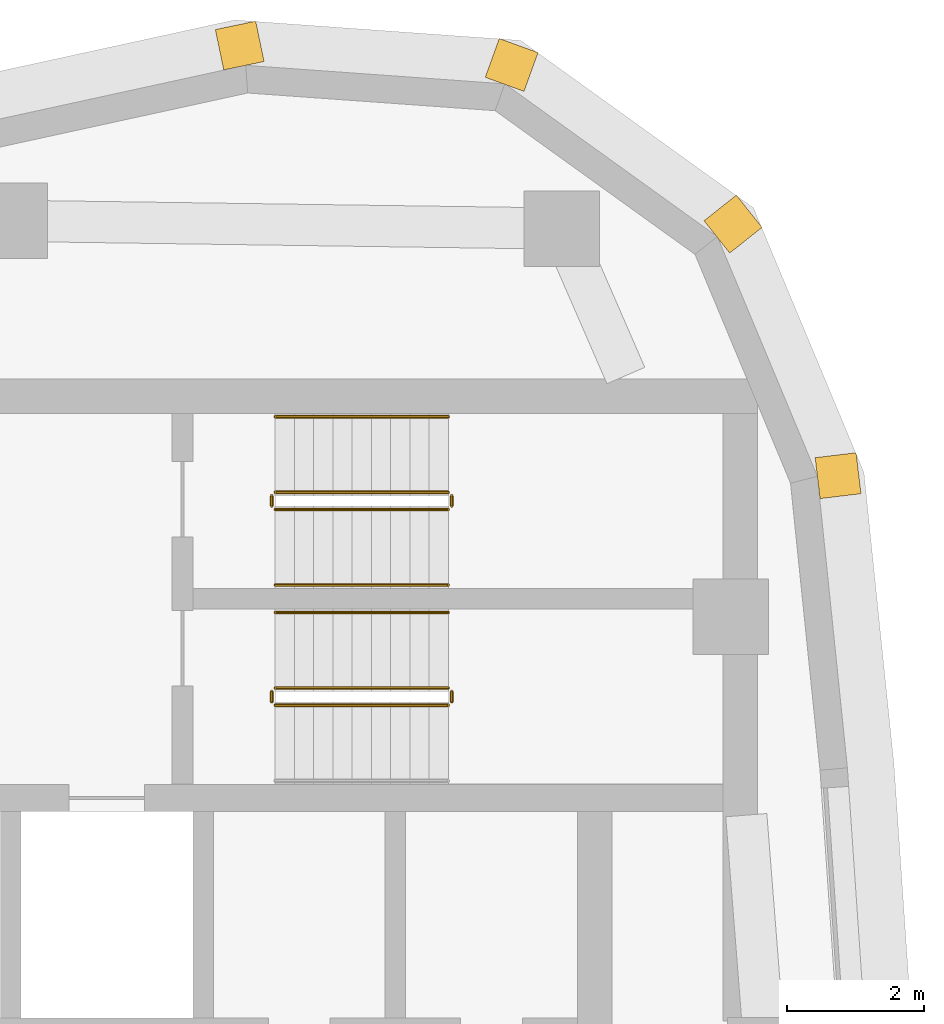
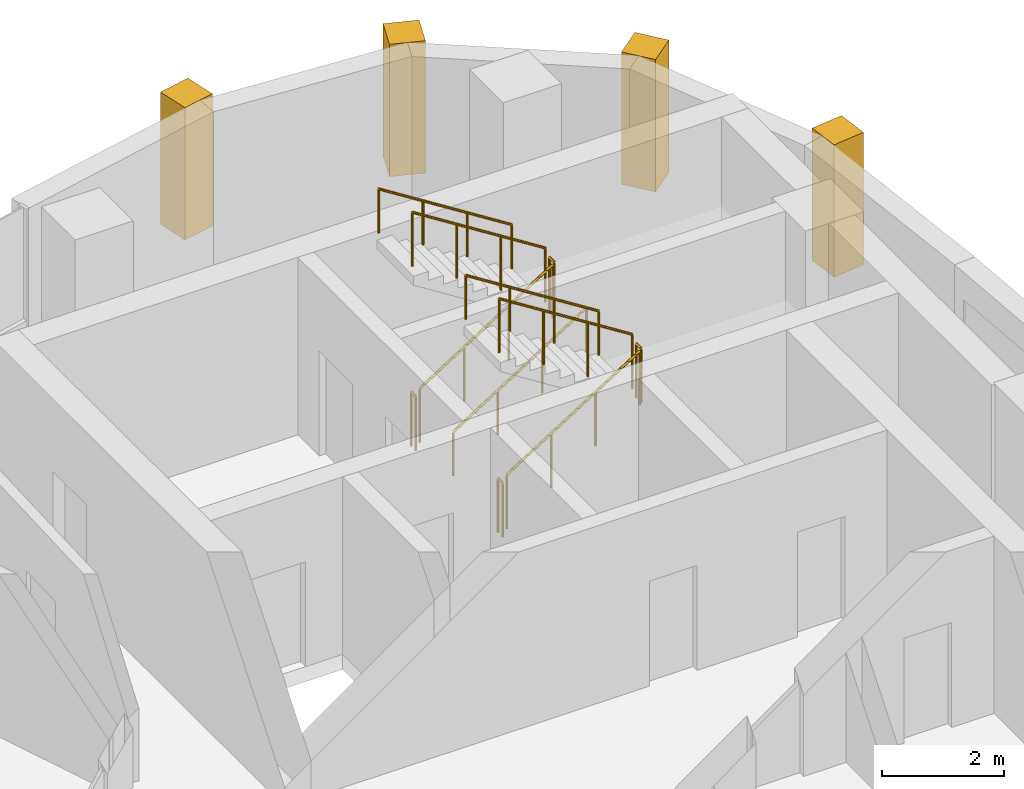
# One storey, part 14 of 14: 11 railings, 4 coverings.
"""IFC4 building model written with IfcOpenShell, lengths in metres."""

from ifc_helpers import new_model, si_unit, direction, frame, frame_2d, origin, origin_2d, place, context, subcontext, project, spatial, rectangle, circle, extrude, material, layer, layer_set, type_object, element, save


model = new_model("IFC4")

# Units and contexts
model_context = context("Model", 3, precision=1e-05, world=origin(), true_north=direction((0.0, 1.0)))
body_context = subcontext(model_context, "Body", "Model", "MODEL_VIEW")
ifc_project = project(units=[si_unit("LENGTHUNIT", "METRE"), si_unit("AREAUNIT", "SQUARE_METRE"), si_unit("VOLUMEUNIT", "CUBIC_METRE"), si_unit("PLANEANGLEUNIT", "RADIAN"), si_unit("MASSUNIT", "GRAM", prefix="KILO")], contexts=[model_context])

# Site, building, storey
site_placement = place(None, origin())
site = spatial("IfcSite", under=ifc_project, at=site_placement, CompositionType="ELEMENT")
building_placement = place(site_placement, origin())
building = spatial("IfcBuilding", under=site, at=building_placement, Name="Ostrand Prow Hotel Tower", CompositionType="ELEMENT")
storey_placement = place(building_placement, frame((0.0, 0.0, 285.64990234375)))
storey = spatial("IfcBuildingStorey", under=building, at=storey_placement, Name="L72", CompositionType="ELEMENT", Elevation=285.64990234375)

# Coverings
ifc_material_1 = material(Name="Limestone cladding", Category="masonry")
ifc_layer = layer(ifc_material_1, 0.60009765625)
ifc_layer_set = layer_set([ifc_layer], Name="Limestone cladding")
covering_type = type_object("IfcCoveringType", Name="Precast stone prow rib 600x600", PredefinedType="CLADDING", material=ifc_layer_set)
covering_1_placement = place(storey_placement, frame((65.0966796875, 14.806396484375, 0.60009765625), z_axis=(0.0, 0.0, 1.0), x_axis=(0.992867207971, 0.119225447515, 0.0)))
element("IfcCovering", 1, at=covering_1_placement, inside=storey, type_object=covering_type, Name="Stone corner rib 12a", PredefinedType="CLADDING", context=body_context, shape_type="SweptSolid", body=[
    extrude(rectangle(XDim=0.60009765625, YDim=0.60009765625, at=frame_2d((0.300048828125, 0.0))), origin(), (0.0, 0.0, 1.0), 2.64990234375),
])
for number, where, z_axis, x_axis, name in (
    (2, (63.630615234375, 18.318359375, 0.60009765625), (0.0, 0.0, 1.0), (0.782731736812, 0.622359243674, 0.0), "Stone corner rib 13a"),
    (3, (60.540283203125, 20.539794921875, 0.60009765625), (0.0, 0.0, 1.0), (0.340664419472, 0.940184956966, 0.0), "Stone corner rib 14a"),
):
    element("IfcCovering", number, at=place(storey_placement, frame(where, z_axis=z_axis, x_axis=x_axis)), inside=storey, type_object=covering_type, Name=name, PredefinedType="CLADDING", context=body_context, shape_type="SweptSolid", body=[
        extrude(rectangle(XDim=0.599853515625, YDim=0.60009765625, at=frame_2d((0.2998046875, 0.0))), origin(), (0.0, 0.0, 1.0), 2.64990234375),
    ])
covering_2_placement = place(storey_placement, frame((56.744384765625, 20.810546875, 0.60009765625), z_axis=(0.0, 0.0, 1.0), x_axis=(-0.203385687349, 0.979098698897, 0.0)))
element("IfcCovering", 4, at=covering_2_placement, inside=storey, type_object=covering_type, Name="Stone corner rib 14b", PredefinedType="CLADDING", context=body_context, shape_type="SweptSolid", body=[
    extrude(rectangle(XDim=0.60009765625, YDim=0.60009765625, at=frame_2d((0.300048828125, 0.0))), origin(), (0.0, 0.0, 1.0), 2.64990234375),
])

# Railings
ifc_material_2 = material(Name="Painted steel", Category="steel")
railing_type_1 = type_object("IfcRailingType", Name="Stair guard 1100", PredefinedType="GUARDRAIL", material=ifc_material_2)
railing_1_placement = place(storey_placement, frame((57.199951171875, 11.5, 0.177490234375)))
element("IfcRailing", 5, at=railing_1_placement, inside=storey, type_object=railing_type_1, Name="L72 ST1C stair guard 1", PredefinedType="GUARDRAIL", context=body_context, shape_type="SweptSolid", body=[
    extrude(circle(Radius=0.02392578125, at=origin_2d()), frame((0.0, 0.0, 1.076171875), z_axis=(0.84456994832, 0.0, 0.535445237532), x_axis=(0.0, 1.0, 0.0)), (0.0, 0.0, 1.0), 2.98388671875),
    extrude(circle(Radius=0.02099609375, at=origin_2d()), origin(), (0.0, 0.0, 1.0), 1.052001953125),
    extrude(circle(Radius=0.02099609375, at=origin_2d()), frame((0.840087890625, 0.0, 0.532470703125)), (0.0, 0.0, 1.0), 1.052001953125),
    extrude(circle(Radius=0.02099609375, at=origin_2d()), frame((1.679931640625, 0.0, 1.065185546875)), (0.0, 0.0, 1.0), 1.052001953125),
    extrude(circle(Radius=0.02099609375, at=origin_2d()), frame((2.52001953125, 0.0, 1.59765625)), (0.0, 0.0, 1.0), 1.052001953125),
])
railing_2_placement = place(storey_placement, frame((59.77001953125, 11.550048828125, 1.775146484375)))
element("IfcRailing", 6, at=railing_2_placement, inside=storey, type_object=railing_type_1, Name="L72 ST1C stair guard 2", PredefinedType="GUARDRAIL", context=body_context, shape_type="SweptSolid", body=[
    extrude(circle(Radius=0.02392578125, at=origin_2d()), frame((0.0, 0.0, 1.076171875), z_axis=(0.0, 1.0, 0.0), x_axis=(-1.0, 0.0, 0.0)), (0.0, 0.0, 1.0), 0.14990234375),
    extrude(circle(Radius=0.02099609375, at=origin_2d()), origin(), (0.0, 0.0, 1.0), 1.052001953125),
    extrude(circle(Radius=0.02099609375, at=origin_2d()), frame((0.0, 0.14990234375, 0.0)), (0.0, 0.0, 1.0), 1.052001953125),
])
railing_3_placement = place(storey_placement, frame((59.719970703125, 11.75, 1.95263671875)))
element("IfcRailing", 7, at=railing_3_placement, inside=storey, type_object=railing_type_1, Name="L72 ST1C stair guard 3", PredefinedType="GUARDRAIL", context=body_context, shape_type="SweptSolid", body=[
    extrude(circle(Radius=0.02392578125, at=origin_2d()), frame((0.0, 0.0, 1.076171875), z_axis=(-0.84460694969, 0.0, 0.535386869969), x_axis=(0.0, -1.0, 0.0)), (0.0, 0.0, 1.0), 2.983642578125),
    extrude(circle(Radius=0.02099609375, at=origin_2d()), origin(), (0.0, 0.0, 1.0), 1.052001953125),
    extrude(circle(Radius=0.02099609375, at=origin_2d()), frame((-0.840087890625, 0.0, 0.532470703125)), (0.0, 0.0, 1.0), 1.052001953125),
    extrude(circle(Radius=0.02099609375, at=origin_2d()), frame((-1.679931640625, 0.0, 1.06494140625)), (0.0, 0.0, 1.0), 1.052001953125),
    extrude(circle(Radius=0.02099609375, at=origin_2d()), frame((-2.52001953125, 0.0, 1.597412109375)), (0.0, 0.0, 1.0), 1.052001953125),
])
railing_4_placement = place(storey_placement, frame((57.14990234375, 11.550048828125, 0.0)))
element("IfcRailing", 8, at=railing_4_placement, inside=storey, type_object=railing_type_1, Name="L72 ST1C stair guard 4", PredefinedType="GUARDRAIL", context=body_context, shape_type="SweptSolid", body=[
    extrude(circle(Radius=0.02392578125, at=origin_2d()), frame((0.0, 0.0, 1.076171875), z_axis=(0.0, 1.0, 0.0), x_axis=(-1.0, 0.0, 0.0)), (0.0, 0.0, 1.0), 0.14990234375),
    extrude(circle(Radius=0.02099609375, at=origin_2d()), origin(), (0.0, 0.0, 1.0), 1.052001953125),
    extrude(circle(Radius=0.02099609375, at=origin_2d()), frame((0.0, 0.14990234375, 0.0)), (0.0, 0.0, 1.0), 1.052001953125),
])
railing_5_placement = place(storey_placement, frame((57.199951171875, 14.35009765625, 0.177490234375)))
element("IfcRailing", 9, at=railing_5_placement, inside=storey, type_object=railing_type_1, Name="L72 ST3C stair guard 1", PredefinedType="GUARDRAIL", context=body_context, shape_type="SweptSolid", body=[
    extrude(circle(Radius=0.02392578125, at=origin_2d()), frame((0.0, 0.0, 1.076171875), z_axis=(0.84456994832, 0.0, 0.535445237532), x_axis=(0.0, 1.0, 0.0)), (0.0, 0.0, 1.0), 2.98388671875),
    extrude(circle(Radius=0.02099609375, at=origin_2d()), origin(), (0.0, 0.0, 1.0), 1.052001953125),
    extrude(circle(Radius=0.02099609375, at=origin_2d()), frame((0.840087890625, 0.0, 0.532470703125)), (0.0, 0.0, 1.0), 1.052001953125),
    extrude(circle(Radius=0.02099609375, at=origin_2d()), frame((1.679931640625, 0.0, 1.065185546875)), (0.0, 0.0, 1.0), 1.052001953125),
    extrude(circle(Radius=0.02099609375, at=origin_2d()), frame((2.52001953125, 0.0, 1.59765625)), (0.0, 0.0, 1.0), 1.052001953125),
])
railing_6_placement = place(storey_placement, frame((59.77001953125, 14.39990234375, 1.775146484375)))
element("IfcRailing", 10, at=railing_6_placement, inside=storey, type_object=railing_type_1, Name="L72 ST3C stair guard 2", PredefinedType="GUARDRAIL", context=body_context, shape_type="SweptSolid", body=[
    extrude(circle(Radius=0.02392578125, at=origin_2d()), frame((0.0, 0.0, 1.076171875), z_axis=(0.0, 1.0, 0.0), x_axis=(-1.0, 0.0, 0.0)), (0.0, 0.0, 1.0), 0.150146484375),
    extrude(circle(Radius=0.02099609375, at=origin_2d()), origin(), (0.0, 0.0, 1.0), 1.052001953125),
    extrude(circle(Radius=0.02099609375, at=origin_2d()), frame((0.0, 0.150146484375, 0.0)), (0.0, 0.0, 1.0), 1.052001953125),
])
railing_7_placement = place(storey_placement, frame((59.719970703125, 14.60009765625, 1.95263671875)))
element("IfcRailing", 11, at=railing_7_placement, inside=storey, type_object=railing_type_1, Name="L72 ST3C stair guard 3", PredefinedType="GUARDRAIL", context=body_context, shape_type="SweptSolid", body=[
    extrude(circle(Radius=0.02392578125, at=origin_2d()), frame((0.0, 0.0, 1.076171875), z_axis=(-0.84460694969, 0.0, 0.535386869969), x_axis=(0.0, -1.0, 0.0)), (0.0, 0.0, 1.0), 2.983642578125),
    extrude(circle(Radius=0.02099609375, at=origin_2d()), origin(), (0.0, 0.0, 1.0), 1.052001953125),
    extrude(circle(Radius=0.02099609375, at=origin_2d()), frame((-0.840087890625, 0.0, 0.532470703125)), (0.0, 0.0, 1.0), 1.052001953125),
    extrude(circle(Radius=0.02099609375, at=origin_2d()), frame((-1.679931640625, 0.0, 1.06494140625)), (0.0, 0.0, 1.0), 1.052001953125),
    extrude(circle(Radius=0.02099609375, at=origin_2d()), frame((-2.52001953125, 0.0, 1.597412109375)), (0.0, 0.0, 1.0), 1.052001953125),
])
railing_8_placement = place(storey_placement, frame((57.14990234375, 14.39990234375, 0.0)))
element("IfcRailing", 12, at=railing_8_placement, inside=storey, type_object=railing_type_1, Name="L72 ST3C stair guard 4", PredefinedType="GUARDRAIL", context=body_context, shape_type="SweptSolid", body=[
    extrude(circle(Radius=0.02392578125, at=origin_2d()), frame((0.0, 0.0, 1.076171875), z_axis=(0.0, 1.0, 0.0), x_axis=(-1.0, 0.0, 0.0)), (0.0, 0.0, 1.0), 0.150146484375),
    extrude(circle(Radius=0.02099609375, at=origin_2d()), origin(), (0.0, 0.0, 1.0), 1.052001953125),
    extrude(circle(Radius=0.02099609375, at=origin_2d()), frame((0.0, 0.150146484375, 0.0)), (0.0, 0.0, 1.0), 1.052001953125),
])
ifc_material_3 = material(Name="Stainless steel", Category="steel")
railing_type_2 = type_object("IfcRailingType", Name="Stair handrail 900", PredefinedType="HANDRAIL", material=ifc_material_3)
railing_9_placement = place(storey_placement, frame((59.719970703125, 12.85009765625, 1.95263671875)))
element("IfcRailing", 13, at=railing_9_placement, inside=storey, type_object=railing_type_2, Name="L72 ST1C stair handrail 2", PredefinedType="HANDRAIL", context=body_context, shape_type="SweptSolid", body=[
    extrude(circle(Radius=0.02392578125, at=origin_2d()), frame((0.0, 0.0, 0.8759765625), z_axis=(-0.84460694969, 0.0, 0.535386869969), x_axis=(0.0, -1.0, 0.0)), (0.0, 0.0, 1.0), 2.983642578125),
    extrude(circle(Radius=0.02099609375, at=origin_2d()), origin(), (0.0, 0.0, 1.0), 0.851806640625),
    extrude(circle(Radius=0.02099609375, at=origin_2d()), frame((-0.840087890625, 0.0, 0.532470703125)), (0.0, 0.0, 1.0), 0.851806640625),
    extrude(circle(Radius=0.02099609375, at=origin_2d()), frame((-1.679931640625, 0.0, 1.06494140625)), (0.0, 0.0, 1.0), 0.851806640625),
    extrude(circle(Radius=0.02099609375, at=origin_2d()), frame((-2.52001953125, 0.0, 1.597412109375)), (0.0, 0.0, 1.0), 0.851806640625),
])
railing_10_placement = place(storey_placement, frame((57.199951171875, 13.25, 0.177490234375)))
element("IfcRailing", 14, at=railing_10_placement, inside=storey, type_object=railing_type_2, Name="L72 ST3C stair handrail 1", PredefinedType="HANDRAIL", context=body_context, shape_type="SweptSolid", body=[
    extrude(circle(Radius=0.02392578125, at=origin_2d()), frame((0.0, 0.0, 0.8759765625), z_axis=(0.84456994832, 0.0, 0.535445237532), x_axis=(0.0, 1.0, 0.0)), (0.0, 0.0, 1.0), 2.98388671875),
    extrude(circle(Radius=0.02099609375, at=origin_2d()), origin(), (0.0, 0.0, 1.0), 0.851806640625),
    extrude(circle(Radius=0.02099609375, at=origin_2d()), frame((0.840087890625, 0.0, 0.532470703125)), (0.0, 0.0, 1.0), 0.851806640625),
    extrude(circle(Radius=0.02099609375, at=origin_2d()), frame((1.679931640625, 0.0, 1.065185546875)), (0.0, 0.0, 1.0), 0.851806640625),
    extrude(circle(Radius=0.02099609375, at=origin_2d()), frame((2.52001953125, 0.0, 1.59765625)), (0.0, 0.0, 1.0), 0.851806640625),
])
railing_11_placement = place(storey_placement, frame((59.719970703125, 15.699951171875, 1.95263671875)))
element("IfcRailing", 15, at=railing_11_placement, inside=storey, type_object=railing_type_2, Name="L72 ST3C stair handrail 2", PredefinedType="HANDRAIL", context=body_context, shape_type="SweptSolid", body=[
    extrude(circle(Radius=0.02392578125, at=origin_2d()), frame((0.0, 0.0, 0.8759765625), z_axis=(-0.84460694969, 0.0, 0.535386869969), x_axis=(0.0, -1.0, 0.0)), (0.0, 0.0, 1.0), 2.983642578125),
    extrude(circle(Radius=0.02099609375, at=origin_2d()), origin(), (0.0, 0.0, 1.0), 0.851806640625),
    extrude(circle(Radius=0.02099609375, at=origin_2d()), frame((-0.840087890625, 0.0, 0.532470703125)), (0.0, 0.0, 1.0), 0.851806640625),
    extrude(circle(Radius=0.02099609375, at=origin_2d()), frame((-1.679931640625, 0.0, 1.06494140625)), (0.0, 0.0, 1.0), 0.851806640625),
    extrude(circle(Radius=0.02099609375, at=origin_2d()), frame((-2.52001953125, 0.0, 1.597412109375)), (0.0, 0.0, 1.0), 0.851806640625),
])

save(model, "model.ifc")
